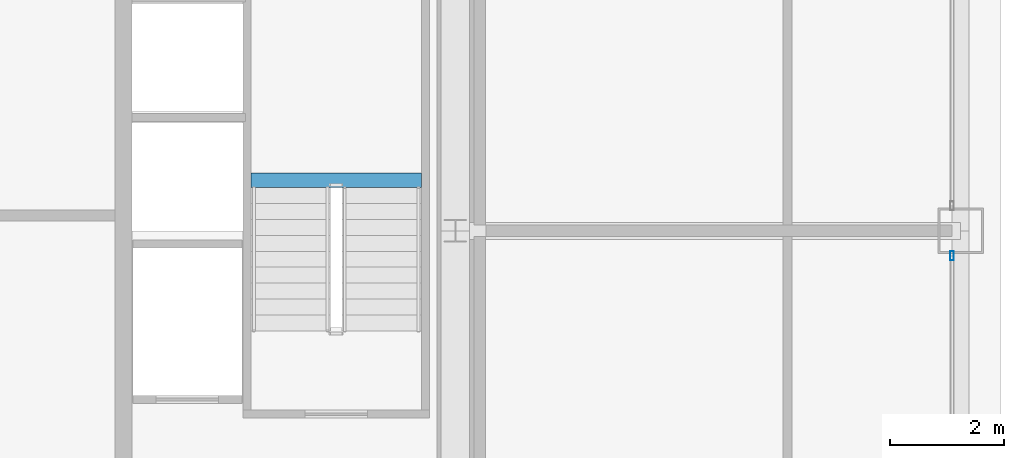
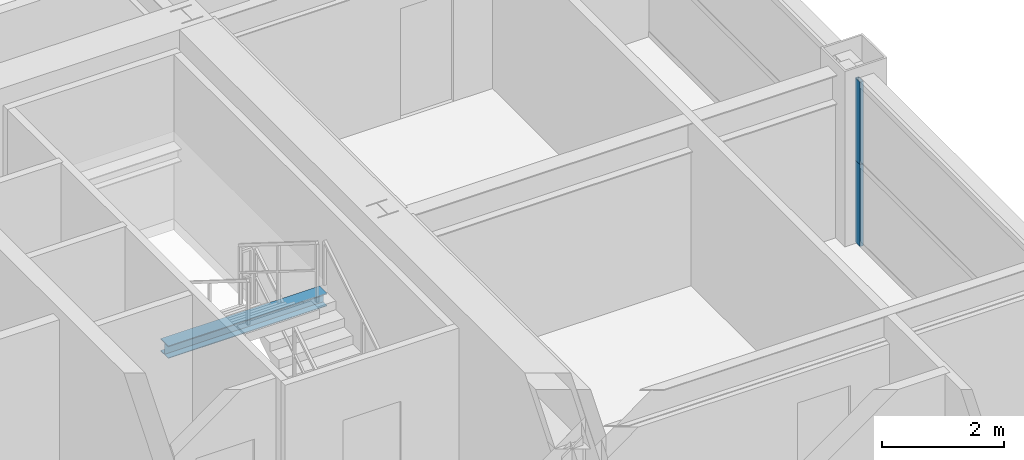
# One storey, part 26 of 45: 2 members, 1 beam, 1 element without a shape of its own.
"""IFC4 building model written with IfcOpenShell, lengths in metres."""

from ifc_helpers import new_model, si_unit, direction, frame, origin, origin_2d, place, context, subcontext, project, spatial, hollow_rectangle, i_section, extrude, source, transform, mapped, material, layer, layer_set, material_profile, profile_set, type_object, element, aggregate, save


model = new_model("IFC4")

# Units and contexts
model_context = context("Model", 3, precision=1e-05, world=origin(), true_north=direction((0.0, 1.0)))
body_context = subcontext(model_context, "Body", "Model", "MODEL_VIEW")
ifc_project = project(units=[si_unit("LENGTHUNIT", "METRE"), si_unit("AREAUNIT", "SQUARE_METRE"), si_unit("VOLUMEUNIT", "CUBIC_METRE"), si_unit("PLANEANGLEUNIT", "RADIAN"), si_unit("MASSUNIT", "GRAM", prefix="KILO"), si_unit("THERMODYNAMICTEMPERATUREUNIT", "KELVIN"), si_unit("POWERUNIT", "WATT")], contexts=[model_context])

# Site, building, storey
site_placement = place(None, origin())
site = spatial("IfcSite", under=ifc_project, at=site_placement, CompositionType="ELEMENT")
building_placement = place(site_placement, origin())
building = spatial("IfcBuilding", under=site, at=building_placement, Name="Yuzanri Waterfront Tower", CompositionType="ELEMENT")
storey_placement = place(building_placement, frame((0.0, 0.0, 212.5)))
storey = spatial("IfcBuildingStorey", under=building, at=storey_placement, Name="L56", CompositionType="ELEMENT", Elevation=212.5)

# Curtain wall, members
ifc_material_1 = material(Name="Anodized Architectural Bronze", Category="metal")
ifc_layer = layer(ifc_material_1, 0.159912109375)
ifc_layer_set = layer_set([ifc_layer], Name="Anodized Architectural Bronze")
curtain_wall_type = type_object("IfcCurtainWallType", Name="Anodized Bronze Mid-Rise Residential Acoustic Unitized Curtain Wall 7200", PredefinedType="NOTDEFINED", material=ifc_layer_set)
curtain_wall_placement = place(storey_placement, origin())
curtain_wall = element("IfcCurtainWall", 1, at=curtain_wall_placement, inside=storey, type_object=curtain_wall_type, Name="L56 Curtain Wall CW-L56-EL", PredefinedType="NOTDEFINED")
ifc_material_2 = material(Name="Anodized Architectural Bronze", Category="metal")
ifc_material_profile_1 = material_profile(ifc_material_2, hollow_rectangle(XDim=0.06494140625, YDim=0.159912109375, WallThickness=0.00341796875, at=origin_2d()), Name="CWM 65x160")
ifc_profile_set_1 = profile_set([ifc_material_profile_1], Name="Anodized Architectural Bronze")
member_type = type_object("IfcMemberType", Name="Anodized Bronze Upper-Zone Curtain-Wall Mullion 65x160", PredefinedType="MULLION", material=ifc_profile_set_1)
shared_shape_1 = source(origin(), body_context, "Body", "SweptSolid", [
    extrude(hollow_rectangle(XDim=0.06494140625, YDim=0.159912109375, WallThickness=0.00341796875, at=origin_2d()), origin(), (0.0, 0.0, 1.0), 1.637939453125),
])
member_1_placement = place(storey_placement, frame((58.949951171875, 25.360107421875, 0.0), z_axis=(0.0, 0.0, 1.0), x_axis=(1.0, 0.0, 0.0)))
member_1 = element("IfcMember", 2, at=member_1_placement, type_object=member_type, Name="CW-L56-EL Lower Mullion 02", PredefinedType="MULLION", context=body_context, shape_type="MappedRepresentation", body=[
    mapped(shared_shape_1, transform((0.0, 0.0, 0.0), scale=1.0)),
])
member_2_placement = place(storey_placement, frame((58.949951171875, 25.360107421875, 1.64208984375), z_axis=(0.0, 0.0, 1.0), x_axis=(1.0, 0.0, 0.0)))
member_2 = element("IfcMember", 3, at=member_2_placement, type_object=member_type, Name="CW-L56-EL Upper Mullion 02", PredefinedType="MULLION", context=body_context, shape_type="MappedRepresentation", body=[
    mapped(shared_shape_1, transform((0.0, 0.0, 0.0), scale=1.0)),
])
aggregate(curtain_wall, [member_1, member_2])

# Beam
ifc_material_3 = material(Name="Steel Q355B", Category="steel")
ifc_material_profile_2 = material_profile(ifc_material_3, i_section(OverallWidth=0.25, OverallDepth=0.25, WebThickness=0.009033203125, FlangeThickness=0.013916015625, at=origin_2d()), Name="HW 250x250x9x14")
ifc_profile_set_2 = profile_set([ifc_material_profile_2], Name="Steel Q355B")
beam_type = type_object("IfcBeamType", Name="Stair Landing Support Beam Q355B HW 250x250", PredefinedType="BEAM", material=ifc_profile_set_2)
shared_shape_2 = source(origin(), body_context, "Body", "SweptSolid", [
    extrude(i_section(OverallWidth=0.25, OverallDepth=0.25, WebThickness=0.009033203125, FlangeThickness=0.013916015625, at=origin_2d()), origin(), (0.0, 0.0, 1.0), 3.0),
])
beam_placement = place(storey_placement, frame((46.60009765625, 26.68994140625, 1.425048828125), z_axis=(1.0, 0.0, 0.0), x_axis=(0.0, 1.0, 0.0)))
element("IfcBeam", 4, at=beam_placement, inside=storey, type_object=beam_type, Name="L56 Stair Landing Support Beam ST-02-L56-L1-1", PredefinedType="BEAM", context=body_context, shape_type="MappedRepresentation", body=[
    mapped(shared_shape_2, transform((0.0, 0.0, 0.0), scale=1.0)),
])

save(model, "model.ifc")
